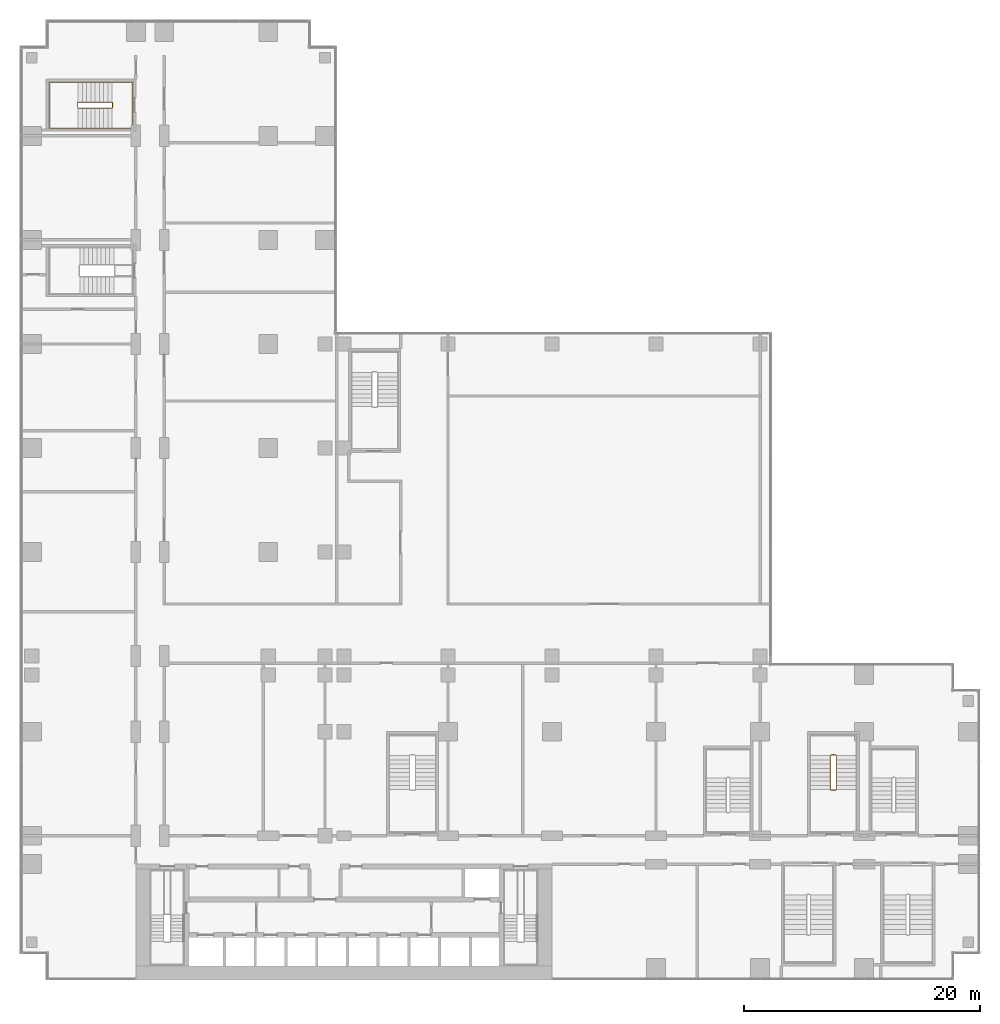
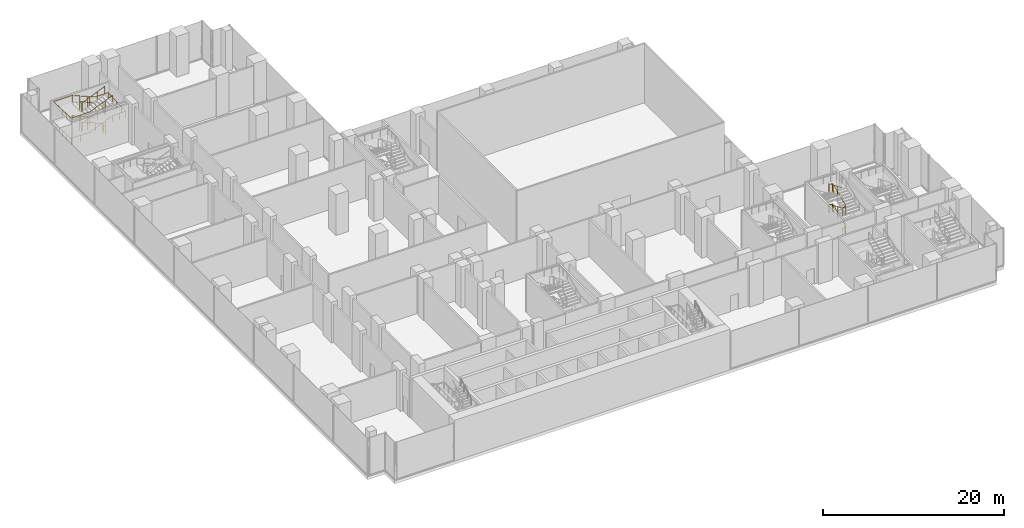
# One storey, part 30 of 30: 3 railings.
"""IFC4 building model written with IfcOpenShell, lengths in metres."""

from ifc_helpers import new_model, si_unit, direction, frame, origin, origin_2d, place, context, subcontext, project, spatial, circle, extrude, material, type_object, element, save


model = new_model("IFC4")

# Units and contexts
model_context = context("Model", 3, precision=1e-05, world=origin(), true_north=direction((0.0, 1.0)))
body_context = subcontext(model_context, "Body", "Model", "MODEL_VIEW")
ifc_project = project(units=[si_unit("LENGTHUNIT", "METRE"), si_unit("AREAUNIT", "SQUARE_METRE"), si_unit("VOLUMEUNIT", "CUBIC_METRE"), si_unit("PLANEANGLEUNIT", "RADIAN"), si_unit("MASSUNIT", "GRAM", prefix="KILO")], contexts=[model_context])

# Site, building, storey
site_placement = place(None, origin())
site = spatial("IfcSite", under=ifc_project, at=site_placement, CompositionType="ELEMENT")
building_placement = place(site_placement, origin())
building = spatial("IfcBuilding", under=site, at=building_placement, Name="Kemantara Hotel Tower", CompositionType="ELEMENT")
storey_placement = place(building_placement, frame((0.0, 0.0, 18.0)))
storey = spatial("IfcBuildingStorey", under=building, at=storey_placement, Name="L03", CompositionType="ELEMENT", Elevation=18.0)

# Railings
ifc_material = material(Name="Stainless steel balustrade", Category="steel")
railing_type_1 = type_object("IfcRailingType", Name="Stair guard 1100 mm", PredefinedType="GUARDRAIL", material=ifc_material)
railing_1_placement = place(storey_placement, frame((7.800048828125, 73.75, 5.5)))
element("IfcRailing", 1, at=railing_1_placement, inside=storey, type_object=railing_type_1, Name="L03 ST6 stair guard 1", PredefinedType="GUARDRAIL", context=body_context, shape_type="SweptSolid", body=[
    extrude(circle(Radius=0.02392578125, at=origin_2d()), frame((0.0, 0.0, 1.076171875), z_axis=(-0.920547772064, 0.0, -0.390630003133), x_axis=(0.0, -1.0, 0.0)), (0.0, 0.0, 1.0), 3.128662109375),
    extrude(circle(Radius=0.02392578125, at=origin_2d()), frame((-2.880126953125, 0.0, -0.14599609375), z_axis=(-0.295833358201, 0.297283521722, -0.907802363892), x_axis=(-0.708833529934, -0.705375805398, 0.0)), (0.0, 0.0, 1.0), 0.16845703125),
    extrude(circle(Radius=0.02392578125, at=origin_2d()), frame((-2.929931640625, 0.050048828125, -0.298828125), z_axis=(0.0, 1.0, 0.0), x_axis=(-1.0, 0.0, 0.0)), (0.0, 0.0, 1.0), 0.39990234375),
    extrude(circle(Radius=0.02392578125, at=origin_2d()), frame((-2.929931640625, 0.449951171875, -0.298828125), z_axis=(0.705375805398, 0.708833529934, 0.0), x_axis=(-0.708833529934, 0.705375805398, 0.0)), (0.0, 0.0, 1.0), 0.070556640625),
    extrude(circle(Radius=0.02392578125, at=origin_2d()), frame((-2.880126953125, 0.5, -0.298828125), z_axis=(0.920547772064, 0.0, -0.390630003133), x_axis=(0.0, 1.0, 0.0)), (0.0, 0.0, 1.0), 3.128662109375),
    extrude(circle(Radius=0.02392578125, at=origin_2d()), frame((0.0, 0.5, -1.52099609375), z_axis=(0.104742586301, -0.941661397821, -0.319848092803), x_axis=(0.993870574751, 0.110549901152, 0.0)), (0.0, 0.0, 1.0), 0.477783203125),
    extrude(circle(Radius=0.02392578125, at=origin_2d()), frame((0.050048828125, 0.050048828125, -1.673828125), z_axis=(0.0, 1.0, 0.0), x_axis=(-1.0, 0.0, 0.0)), (0.0, 0.0, 1.0), 0.39990234375),
    extrude(circle(Radius=0.02392578125, at=origin_2d()), frame((0.050048828125, 0.449951171875, -1.673828125), z_axis=(-0.110549901152, -0.993870574751, 0.0), x_axis=(0.993870574751, -0.110549901152, 0.0)), (0.0, 0.0, 1.0), 0.45263671875),
    extrude(circle(Radius=0.02392578125, at=origin_2d()), frame((0.0, 0.0, -1.673828125), z_axis=(-0.920547772064, 0.0, -0.390630003133), x_axis=(0.0, -1.0, 0.0)), (0.0, 0.0, 1.0), 3.128662109375),
    extrude(circle(Radius=0.02392578125, at=origin_2d()), frame((-2.880126953125, 0.0, -2.89599609375), z_axis=(-0.295833358201, 0.297283521722, -0.907802363892), x_axis=(-0.708833529934, -0.705375805398, 0.0)), (0.0, 0.0, 1.0), 0.16845703125),
    extrude(circle(Radius=0.02392578125, at=origin_2d()), frame((-2.929931640625, 0.050048828125, -3.048828125), z_axis=(0.0, 1.0, 0.0), x_axis=(-1.0, 0.0, 0.0)), (0.0, 0.0, 1.0), 0.39990234375),
    extrude(circle(Radius=0.02392578125, at=origin_2d()), frame((-2.929931640625, 0.449951171875, -3.048828125), z_axis=(0.705375805398, 0.708833529934, 0.0), x_axis=(-0.708833529934, 0.705375805398, 0.0)), (0.0, 0.0, 1.0), 0.070556640625),
    extrude(circle(Radius=0.02392578125, at=origin_2d()), frame((-2.880126953125, 0.5, -3.048828125), z_axis=(0.920547772064, 0.0, -0.390630003133), x_axis=(0.0, 1.0, 0.0)), (0.0, 0.0, 1.0), 3.128662109375),
    extrude(circle(Radius=0.02392578125, at=origin_2d()), frame((0.0, 0.5, -4.27099609375), z_axis=(0.297155754911, -0.297155754911, -0.90741220768), x_axis=(0.707106781187, 0.707106781187, 0.0)), (0.0, 0.0, 1.0), 0.16845703125),
    extrude(circle(Radius=0.02392578125, at=origin_2d()), frame((0.050048828125, 0.449951171875, -4.423828125), z_axis=(0.0, -1.0, 0.0), x_axis=(1.0, 0.0, 0.0)), (0.0, 0.0, 1.0), 0.39990234375),
    extrude(circle(Radius=0.02099609375, at=origin_2d()), origin(), (0.0, 0.0, 1.0), 1.052001953125),
    extrude(circle(Radius=0.02099609375, at=origin_2d()), frame((-0.9599609375, 0.0, -0.407470703125)), (0.0, 0.0, 1.0), 1.052001953125),
    extrude(circle(Radius=0.02099609375, at=origin_2d()), frame((-1.920166015625, 0.0, -0.814697265625)), (0.0, 0.0, 1.0), 1.052001953125),
    extrude(circle(Radius=0.02099609375, at=origin_2d()), frame((-2.880126953125, 0.0, -1.22216796875)), (0.0, 0.0, 1.0), 1.052001953125),
    extrude(circle(Radius=0.02099609375, at=origin_2d()), frame((-2.929931640625, 0.050048828125, -1.375)), (0.0, 0.0, 1.0), 1.052001953125),
    extrude(circle(Radius=0.02099609375, at=origin_2d()), frame((-2.929931640625, 0.449951171875, -1.375)), (0.0, 0.0, 1.0), 1.052001953125),
    extrude(circle(Radius=0.02099609375, at=origin_2d()), frame((-2.880126953125, 0.5, -1.375)), (0.0, 0.0, 1.0), 1.052001953125),
    extrude(circle(Radius=0.02099609375, at=origin_2d()), frame((-1.920166015625, 0.5, -1.782470703125)), (0.0, 0.0, 1.0), 1.052001953125),
    extrude(circle(Radius=0.02099609375, at=origin_2d()), frame((-0.9599609375, 0.5, -2.189697265625)), (0.0, 0.0, 1.0), 1.052001953125),
    extrude(circle(Radius=0.02099609375, at=origin_2d()), frame((0.0, 0.5, -2.59716796875)), (0.0, 0.0, 1.0), 1.052001953125),
    extrude(circle(Radius=0.02099609375, at=origin_2d()), frame((0.050048828125, 0.050048828125, -2.75)), (0.0, 0.0, 1.0), 1.052001953125),
    extrude(circle(Radius=0.02099609375, at=origin_2d()), frame((0.050048828125, 0.449951171875, -2.75)), (0.0, 0.0, 1.0), 1.052001953125),
    extrude(circle(Radius=0.02099609375, at=origin_2d()), frame((0.0, 0.0, -2.75)), (0.0, 0.0, 1.0), 1.052001953125),
    extrude(circle(Radius=0.02099609375, at=origin_2d()), frame((-0.9599609375, 0.0, -3.157470703125)), (0.0, 0.0, 1.0), 1.052001953125),
    extrude(circle(Radius=0.02099609375, at=origin_2d()), frame((-1.920166015625, 0.0, -3.564697265625)), (0.0, 0.0, 1.0), 1.052001953125),
    extrude(circle(Radius=0.02099609375, at=origin_2d()), frame((-2.880126953125, 0.0, -3.97216796875)), (0.0, 0.0, 1.0), 1.052001953125),
    extrude(circle(Radius=0.02099609375, at=origin_2d()), frame((-2.929931640625, 0.050048828125, -4.125)), (0.0, 0.0, 1.0), 1.052001953125),
    extrude(circle(Radius=0.02099609375, at=origin_2d()), frame((-2.929931640625, 0.449951171875, -4.125)), (0.0, 0.0, 1.0), 1.052001953125),
    extrude(circle(Radius=0.02099609375, at=origin_2d()), frame((-2.880126953125, 0.5, -4.125)), (0.0, 0.0, 1.0), 1.052001953125),
    extrude(circle(Radius=0.02099609375, at=origin_2d()), frame((-1.920166015625, 0.5, -4.532470703125)), (0.0, 0.0, 1.0), 1.052001953125),
    extrude(circle(Radius=0.02099609375, at=origin_2d()), frame((-0.9599609375, 0.5, -4.939697265625)), (0.0, 0.0, 1.0), 1.052001953125),
    extrude(circle(Radius=0.02099609375, at=origin_2d()), frame((0.0, 0.5, -5.34716796875)), (0.0, 0.0, 1.0), 1.052001953125),
    extrude(circle(Radius=0.02099609375, at=origin_2d()), frame((0.050048828125, 0.449951171875, -5.5)), (0.0, 0.0, 1.0), 1.052001953125),
    extrude(circle(Radius=0.02099609375, at=origin_2d()), frame((0.050048828125, 0.050048828125, -5.5)), (0.0, 0.0, 1.0), 1.052001953125),
])
railing_2_placement = place(storey_placement, frame((68.550048828125, 16.10009765625, 5.5)))
element("IfcRailing", 2, at=railing_2_placement, inside=storey, type_object=railing_type_1, Name="L03 PS1 stair guard 1", PredefinedType="GUARDRAIL", context=body_context, shape_type="SweptSolid", body=[
    extrude(circle(Radius=0.02392578125, at=origin_2d()), frame((0.0, 0.0, 1.076171875), z_axis=(0.0, 0.920535863683, -0.390658064903), x_axis=(-1.0, 0.0, 0.0)), (0.0, 0.0, 1.0), 3.12841796875),
    extrude(circle(Radius=0.02392578125, at=origin_2d()), frame((0.0, 2.8798828125, -0.14599609375), z_axis=(0.297155754911, 0.297155754911, -0.90741220768), x_axis=(-0.707106781187, 0.707106781187, 0.0)), (0.0, 0.0, 1.0), 0.16845703125),
    extrude(circle(Radius=0.02392578125, at=origin_2d()), frame((0.050048828125, 2.929931640625, -0.298828125), z_axis=(1.0, 0.0, 0.0), x_axis=(0.0, 1.0, 0.0)), (0.0, 0.0, 1.0), 0.39990234375),
    extrude(circle(Radius=0.02392578125, at=origin_2d()), frame((0.449951171875, 2.929931640625, -0.298828125), z_axis=(0.707106781187, -0.707106781187, 0.0), x_axis=(0.707106781187, 0.707106781187, 0.0)), (0.0, 0.0, 1.0), 0.07080078125),
    extrude(circle(Radius=0.02392578125, at=origin_2d()), frame((0.5, 2.8798828125, -0.298828125), z_axis=(0.0, -0.920535863683, -0.390658064903), x_axis=(1.0, 0.0, 0.0)), (0.0, 0.0, 1.0), 3.12841796875),
    extrude(circle(Radius=0.02392578125, at=origin_2d()), frame((0.5, 0.0, -1.52099609375), z_axis=(-0.941661397821, -0.104742586301, -0.319848092803), x_axis=(0.110549901152, -0.993870574751, 0.0)), (0.0, 0.0, 1.0), 0.477783203125),
    extrude(circle(Radius=0.02392578125, at=origin_2d()), frame((0.050048828125, -0.050048828125, -1.673828125), z_axis=(1.0, 0.0, 0.0), x_axis=(0.0, 1.0, 0.0)), (0.0, 0.0, 1.0), 0.39990234375),
    extrude(circle(Radius=0.02392578125, at=origin_2d()), frame((0.449951171875, -0.050048828125, -1.673828125), z_axis=(-0.993870574751, 0.110549901152, 0.0), x_axis=(-0.110549901152, -0.993870574751, 0.0)), (0.0, 0.0, 1.0), 0.45263671875),
    extrude(circle(Radius=0.02392578125, at=origin_2d()), frame((0.0, 0.0, -1.673828125), z_axis=(0.0, 0.920535863683, -0.390658064903), x_axis=(-1.0, 0.0, 0.0)), (0.0, 0.0, 1.0), 3.12841796875),
    extrude(circle(Radius=0.02392578125, at=origin_2d()), frame((0.0, 2.8798828125, -2.89599609375), z_axis=(0.297155754911, 0.297155754911, -0.90741220768), x_axis=(-0.707106781187, 0.707106781187, 0.0)), (0.0, 0.0, 1.0), 0.16845703125),
    extrude(circle(Radius=0.02392578125, at=origin_2d()), frame((0.050048828125, 2.929931640625, -3.048828125), z_axis=(1.0, 0.0, 0.0), x_axis=(0.0, 1.0, 0.0)), (0.0, 0.0, 1.0), 0.39990234375),
    extrude(circle(Radius=0.02392578125, at=origin_2d()), frame((0.449951171875, 2.929931640625, -3.048828125), z_axis=(0.707106781187, -0.707106781187, 0.0), x_axis=(0.707106781187, 0.707106781187, 0.0)), (0.0, 0.0, 1.0), 0.07080078125),
    extrude(circle(Radius=0.02392578125, at=origin_2d()), frame((0.5, 2.8798828125, -3.048828125), z_axis=(0.0, -0.920535863683, -0.390658064903), x_axis=(1.0, 0.0, 0.0)), (0.0, 0.0, 1.0), 3.12841796875),
    extrude(circle(Radius=0.02392578125, at=origin_2d()), frame((0.5, 0.0, -4.27099609375), z_axis=(-0.297155754911, -0.297155754911, -0.90741220768), x_axis=(0.707106781187, -0.707106781187, 0.0)), (0.0, 0.0, 1.0), 0.16845703125),
    extrude(circle(Radius=0.02392578125, at=origin_2d()), frame((0.449951171875, -0.050048828125, -4.423828125), z_axis=(-1.0, 0.0, 0.0), x_axis=(0.0, -1.0, 0.0)), (0.0, 0.0, 1.0), 0.39990234375),
    extrude(circle(Radius=0.02099609375, at=origin_2d()), origin(), (0.0, 0.0, 1.0), 1.052001953125),
    extrude(circle(Radius=0.02099609375, at=origin_2d()), frame((0.0, 0.9599609375, -0.407470703125)), (0.0, 0.0, 1.0), 1.052001953125),
    extrude(circle(Radius=0.02099609375, at=origin_2d()), frame((0.0, 1.919921875, -0.814697265625)), (0.0, 0.0, 1.0), 1.052001953125),
    extrude(circle(Radius=0.02099609375, at=origin_2d()), frame((0.0, 2.8798828125, -1.22216796875)), (0.0, 0.0, 1.0), 1.052001953125),
    extrude(circle(Radius=0.02099609375, at=origin_2d()), frame((0.050048828125, 2.929931640625, -1.375)), (0.0, 0.0, 1.0), 1.052001953125),
    extrude(circle(Radius=0.02099609375, at=origin_2d()), frame((0.449951171875, 2.929931640625, -1.375)), (0.0, 0.0, 1.0), 1.052001953125),
    extrude(circle(Radius=0.02099609375, at=origin_2d()), frame((0.5, 2.8798828125, -1.375)), (0.0, 0.0, 1.0), 1.052001953125),
    extrude(circle(Radius=0.02099609375, at=origin_2d()), frame((0.5, 1.919921875, -1.782470703125)), (0.0, 0.0, 1.0), 1.052001953125),
    extrude(circle(Radius=0.02099609375, at=origin_2d()), frame((0.5, 0.9599609375, -2.189697265625)), (0.0, 0.0, 1.0), 1.052001953125),
    extrude(circle(Radius=0.02099609375, at=origin_2d()), frame((0.5, 0.0, -2.59716796875)), (0.0, 0.0, 1.0), 1.052001953125),
    extrude(circle(Radius=0.02099609375, at=origin_2d()), frame((0.050048828125, -0.050048828125, -2.75)), (0.0, 0.0, 1.0), 1.052001953125),
    extrude(circle(Radius=0.02099609375, at=origin_2d()), frame((0.449951171875, -0.050048828125, -2.75)), (0.0, 0.0, 1.0), 1.052001953125),
    extrude(circle(Radius=0.02099609375, at=origin_2d()), frame((0.0, 0.0, -2.75)), (0.0, 0.0, 1.0), 1.052001953125),
    extrude(circle(Radius=0.02099609375, at=origin_2d()), frame((0.0, 0.9599609375, -3.157470703125)), (0.0, 0.0, 1.0), 1.052001953125),
    extrude(circle(Radius=0.02099609375, at=origin_2d()), frame((0.0, 1.919921875, -3.564697265625)), (0.0, 0.0, 1.0), 1.052001953125),
    extrude(circle(Radius=0.02099609375, at=origin_2d()), frame((0.0, 2.8798828125, -3.97216796875)), (0.0, 0.0, 1.0), 1.052001953125),
    extrude(circle(Radius=0.02099609375, at=origin_2d()), frame((0.050048828125, 2.929931640625, -4.125)), (0.0, 0.0, 1.0), 1.052001953125),
    extrude(circle(Radius=0.02099609375, at=origin_2d()), frame((0.449951171875, 2.929931640625, -4.125)), (0.0, 0.0, 1.0), 1.052001953125),
    extrude(circle(Radius=0.02099609375, at=origin_2d()), frame((0.5, 2.8798828125, -4.125)), (0.0, 0.0, 1.0), 1.052001953125),
    extrude(circle(Radius=0.02099609375, at=origin_2d()), frame((0.5, 1.919921875, -4.532470703125)), (0.0, 0.0, 1.0), 1.052001953125),
    extrude(circle(Radius=0.02099609375, at=origin_2d()), frame((0.5, 0.9599609375, -4.939697265625)), (0.0, 0.0, 1.0), 1.052001953125),
    extrude(circle(Radius=0.02099609375, at=origin_2d()), frame((0.5, 0.0, -5.34716796875)), (0.0, 0.0, 1.0), 1.052001953125),
    extrude(circle(Radius=0.02099609375, at=origin_2d()), frame((0.449951171875, -0.050048828125, -5.5)), (0.0, 0.0, 1.0), 1.052001953125),
    extrude(circle(Radius=0.02099609375, at=origin_2d()), frame((0.050048828125, -0.050048828125, -5.5)), (0.0, 0.0, 1.0), 1.052001953125),
])
railing_type_2 = type_object("IfcRailingType", Name="Stair handrail 900 mm", PredefinedType="HANDRAIL", material=ifc_material)
railing_3_placement = place(storey_placement, frame((7.800048828125, 75.949951171875, 0.15283203125)))
element("IfcRailing", 3, at=railing_3_placement, inside=storey, type_object=railing_type_2, Name="L03 ST6 stair handrail 1", PredefinedType="HANDRAIL", context=body_context, shape_type="SweptSolid", body=[
    extrude(circle(Radius=0.02392578125, at=origin_2d()), frame((0.0, 0.0, 0.8759765625), z_axis=(-0.920547772064, 0.0, 0.390630003133), x_axis=(0.0, -1.0, 0.0)), (0.0, 0.0, 1.0), 3.128662109375),
    extrude(circle(Radius=0.02392578125, at=origin_2d()), frame((-2.880126953125, 0.0, 2.09814453125), z_axis=(-1.0, 0.0, 0.0), x_axis=(0.0, -1.0, 0.0)), (0.0, 0.0, 1.0), 2.39990234375),
    extrude(circle(Radius=0.02392578125, at=origin_2d()), frame((-5.280029296875, 0.0, 2.09814453125), z_axis=(0.0, -0.999233006938, 0.039158624161), x_axis=(1.0, 0.0, 0.0)), (0.0, 0.0, 1.0), 3.90283203125),
    extrude(circle(Radius=0.02392578125, at=origin_2d()), frame((-5.280029296875, -3.89990234375, 2.2509765625), z_axis=(1.0, 0.0, 0.0), x_axis=(0.0, 1.0, 0.0)), (0.0, 0.0, 1.0), 2.39990234375),
    extrude(circle(Radius=0.02392578125, at=origin_2d()), frame((-2.880126953125, -3.89990234375, 2.2509765625), z_axis=(0.920547772064, 0.0, 0.390630003133), x_axis=(0.0, 1.0, 0.0)), (0.0, 0.0, 1.0), 3.128662109375),
    extrude(circle(Radius=0.02392578125, at=origin_2d()), frame((0.0, -3.89990234375, 3.47314453125), z_axis=(1.0, 0.0, 0.0), x_axis=(0.0, 1.0, 0.0)), (0.0, 0.0, 1.0), 1.679931640625),
    extrude(circle(Radius=0.02392578125, at=origin_2d()), frame((1.679931640625, -3.89990234375, 3.47314453125), z_axis=(0.0, 0.999233006938, 0.039158624161), x_axis=(-1.0, 0.0, 0.0)), (0.0, 0.0, 1.0), 3.90283203125),
    extrude(circle(Radius=0.02392578125, at=origin_2d()), frame((1.679931640625, 0.0, 3.6259765625), z_axis=(-1.0, 0.0, 0.0), x_axis=(0.0, -1.0, 0.0)), (0.0, 0.0, 1.0), 1.679931640625),
    extrude(circle(Radius=0.02392578125, at=origin_2d()), frame((0.0, 0.0, 3.6259765625), z_axis=(-0.920547772064, 0.0, 0.390630003133), x_axis=(0.0, -1.0, 0.0)), (0.0, 0.0, 1.0), 3.128662109375),
    extrude(circle(Radius=0.02392578125, at=origin_2d()), frame((-2.880126953125, 0.0, 4.84814453125), z_axis=(-1.0, 0.0, 0.0), x_axis=(0.0, -1.0, 0.0)), (0.0, 0.0, 1.0), 2.39990234375),
    extrude(circle(Radius=0.02392578125, at=origin_2d()), frame((-5.280029296875, 0.0, 4.84814453125), z_axis=(0.0, -0.999233006938, 0.039158624161), x_axis=(1.0, 0.0, 0.0)), (0.0, 0.0, 1.0), 3.90283203125),
    extrude(circle(Radius=0.02392578125, at=origin_2d()), frame((-5.280029296875, -3.89990234375, 5.0009765625), z_axis=(1.0, 0.0, 0.0), x_axis=(0.0, 1.0, 0.0)), (0.0, 0.0, 1.0), 2.39990234375),
    extrude(circle(Radius=0.02392578125, at=origin_2d()), frame((-2.880126953125, -3.89990234375, 5.0009765625), z_axis=(0.920547772064, 0.0, 0.390630003133), x_axis=(0.0, 1.0, 0.0)), (0.0, 0.0, 1.0), 3.128662109375),
    extrude(circle(Radius=0.02099609375, at=origin_2d()), origin(), (0.0, 0.0, 1.0), 0.851806640625),
    extrude(circle(Radius=0.02099609375, at=origin_2d()), frame((-0.9599609375, 0.0, 0.407470703125)), (0.0, 0.0, 1.0), 0.851806640625),
    extrude(circle(Radius=0.02099609375, at=origin_2d()), frame((-1.920166015625, 0.0, 0.814697265625)), (0.0, 0.0, 1.0), 0.851806640625),
    extrude(circle(Radius=0.02099609375, at=origin_2d()), frame((-2.880126953125, 0.0, 1.22216796875)), (0.0, 0.0, 1.0), 0.851806640625),
    extrude(circle(Radius=0.02099609375, at=origin_2d()), frame((-4.080078125, 0.0, 1.22216796875)), (0.0, 0.0, 1.0), 0.851806640625),
    extrude(circle(Radius=0.02099609375, at=origin_2d()), frame((-5.280029296875, 0.0, 1.22216796875)), (0.0, 0.0, 1.0), 0.851806640625),
    extrude(circle(Radius=0.02099609375, at=origin_2d()), frame((-5.280029296875, -0.97509765625, 1.26025390625)), (0.0, 0.0, 1.0), 0.851806640625),
    extrude(circle(Radius=0.02099609375, at=origin_2d()), frame((-5.280029296875, -1.949951171875, 1.298583984375)), (0.0, 0.0, 1.0), 0.851806640625),
    extrude(circle(Radius=0.02099609375, at=origin_2d()), frame((-5.280029296875, -2.9248046875, 1.3369140625)), (0.0, 0.0, 1.0), 0.851806640625),
    extrude(circle(Radius=0.02099609375, at=origin_2d()), frame((-5.280029296875, -3.89990234375, 1.375)), (0.0, 0.0, 1.0), 0.851806640625),
    extrude(circle(Radius=0.02099609375, at=origin_2d()), frame((-4.080078125, -3.89990234375, 1.375)), (0.0, 0.0, 1.0), 0.851806640625),
    extrude(circle(Radius=0.02099609375, at=origin_2d()), frame((-2.880126953125, -3.89990234375, 1.375)), (0.0, 0.0, 1.0), 0.851806640625),
    extrude(circle(Radius=0.02099609375, at=origin_2d()), frame((-1.920166015625, -3.89990234375, 1.782470703125)), (0.0, 0.0, 1.0), 0.851806640625),
    extrude(circle(Radius=0.02099609375, at=origin_2d()), frame((-0.9599609375, -3.89990234375, 2.189697265625)), (0.0, 0.0, 1.0), 0.851806640625),
    extrude(circle(Radius=0.02099609375, at=origin_2d()), frame((0.0, -3.89990234375, 2.59716796875)), (0.0, 0.0, 1.0), 0.851806640625),
    extrude(circle(Radius=0.02099609375, at=origin_2d()), frame((0.83984375, -3.89990234375, 2.59716796875)), (0.0, 0.0, 1.0), 0.851806640625),
    extrude(circle(Radius=0.02099609375, at=origin_2d()), frame((1.679931640625, -3.89990234375, 2.59716796875)), (0.0, 0.0, 1.0), 0.851806640625),
    extrude(circle(Radius=0.02099609375, at=origin_2d()), frame((1.679931640625, -2.9248046875, 2.63525390625)), (0.0, 0.0, 1.0), 0.851806640625),
    extrude(circle(Radius=0.02099609375, at=origin_2d()), frame((1.679931640625, -1.949951171875, 2.673583984375)), (0.0, 0.0, 1.0), 0.851806640625),
    extrude(circle(Radius=0.02099609375, at=origin_2d()), frame((1.679931640625, -0.97509765625, 2.7119140625)), (0.0, 0.0, 1.0), 0.851806640625),
    extrude(circle(Radius=0.02099609375, at=origin_2d()), frame((1.679931640625, 0.0, 2.75)), (0.0, 0.0, 1.0), 0.851806640625),
    extrude(circle(Radius=0.02099609375, at=origin_2d()), frame((0.83984375, 0.0, 2.75)), (0.0, 0.0, 1.0), 0.851806640625),
    extrude(circle(Radius=0.02099609375, at=origin_2d()), frame((0.0, 0.0, 2.75)), (0.0, 0.0, 1.0), 0.851806640625),
    extrude(circle(Radius=0.02099609375, at=origin_2d()), frame((-0.9599609375, 0.0, 3.157470703125)), (0.0, 0.0, 1.0), 0.851806640625),
    extrude(circle(Radius=0.02099609375, at=origin_2d()), frame((-1.920166015625, 0.0, 3.564697265625)), (0.0, 0.0, 1.0), 0.851806640625),
    extrude(circle(Radius=0.02099609375, at=origin_2d()), frame((-2.880126953125, 0.0, 3.97216796875)), (0.0, 0.0, 1.0), 0.851806640625),
    extrude(circle(Radius=0.02099609375, at=origin_2d()), frame((-4.080078125, 0.0, 3.97216796875)), (0.0, 0.0, 1.0), 0.851806640625),
    extrude(circle(Radius=0.02099609375, at=origin_2d()), frame((-5.280029296875, 0.0, 3.97216796875)), (0.0, 0.0, 1.0), 0.851806640625),
    extrude(circle(Radius=0.02099609375, at=origin_2d()), frame((-5.280029296875, -0.97509765625, 4.01025390625)), (0.0, 0.0, 1.0), 0.851806640625),
    extrude(circle(Radius=0.02099609375, at=origin_2d()), frame((-5.280029296875, -1.949951171875, 4.048583984375)), (0.0, 0.0, 1.0), 0.851806640625),
    extrude(circle(Radius=0.02099609375, at=origin_2d()), frame((-5.280029296875, -2.9248046875, 4.0869140625)), (0.0, 0.0, 1.0), 0.851806640625),
    extrude(circle(Radius=0.02099609375, at=origin_2d()), frame((-5.280029296875, -3.89990234375, 4.125)), (0.0, 0.0, 1.0), 0.851806640625),
    extrude(circle(Radius=0.02099609375, at=origin_2d()), frame((-4.080078125, -3.89990234375, 4.125)), (0.0, 0.0, 1.0), 0.851806640625),
    extrude(circle(Radius=0.02099609375, at=origin_2d()), frame((-2.880126953125, -3.89990234375, 4.125)), (0.0, 0.0, 1.0), 0.851806640625),
    extrude(circle(Radius=0.02099609375, at=origin_2d()), frame((-1.920166015625, -3.89990234375, 4.532470703125)), (0.0, 0.0, 1.0), 0.851806640625),
    extrude(circle(Radius=0.02099609375, at=origin_2d()), frame((-0.9599609375, -3.89990234375, 4.939697265625)), (0.0, 0.0, 1.0), 0.851806640625),
    extrude(circle(Radius=0.02099609375, at=origin_2d()), frame((0.0, -3.89990234375, 5.34716796875)), (0.0, 0.0, 1.0), 0.851806640625),
])

save(model, "model.ifc")
